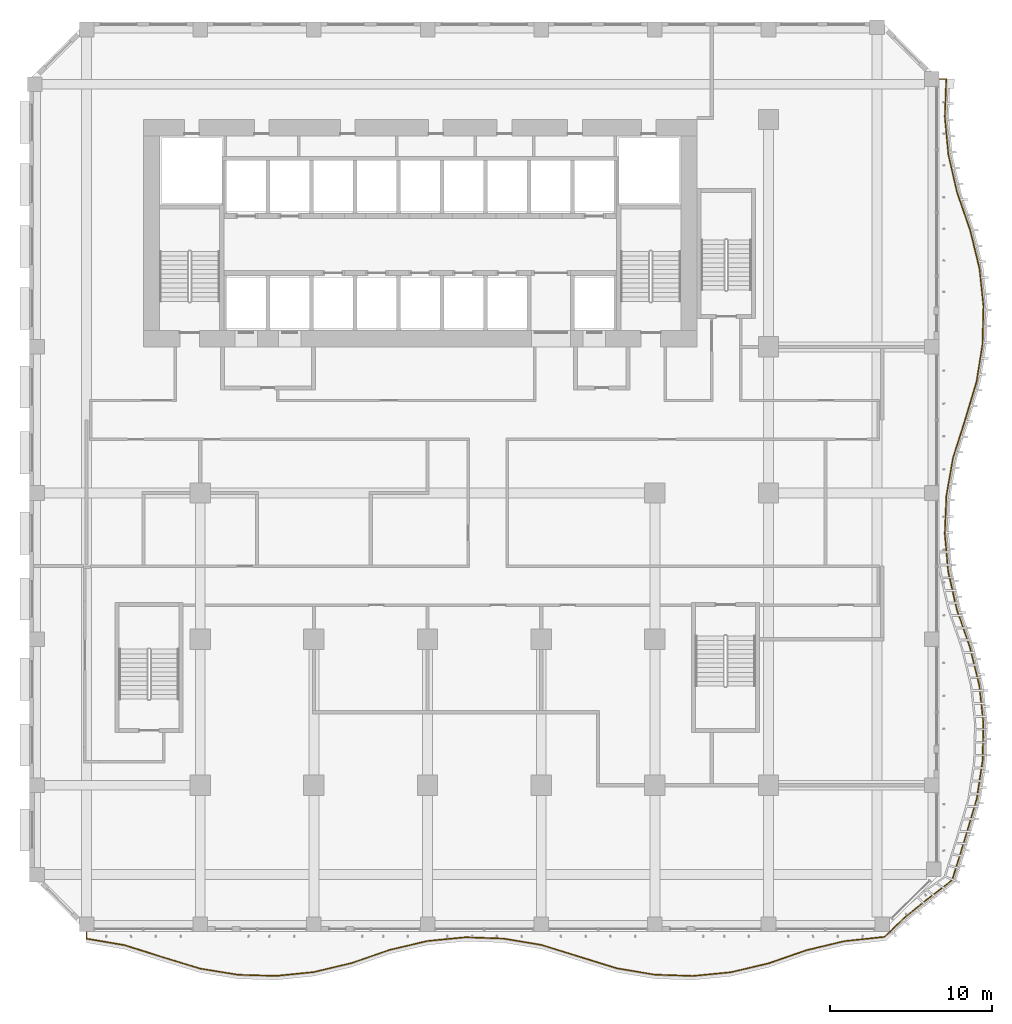
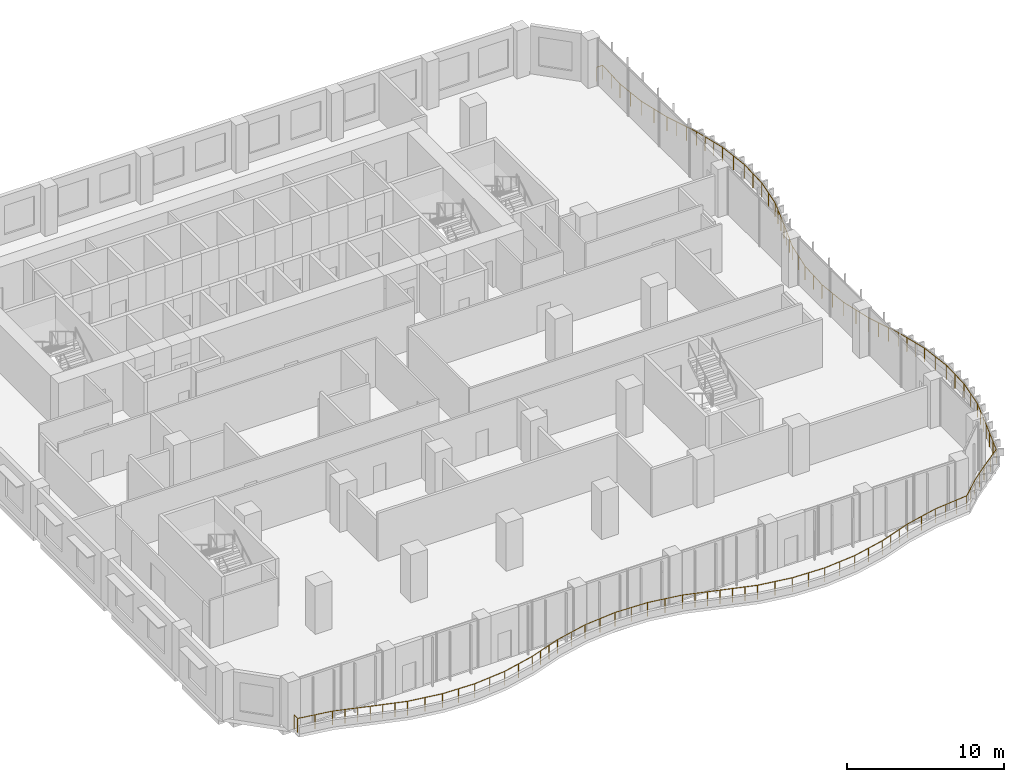
# One storey, part 21 of 27: 1 railing.
"""IFC4 building model written with IfcOpenShell, lengths in metres."""

import ifcopenshell
import ifcopenshell.guid

model = None  # the IFC model being written
_history = None  # IfcOwnerHistory: only IFC2X3 demands one
_inside = {}  # id of a spatial element -> (the spatial element, [elements in it])
_under = {}  # id of a project, library or spatial element -> (it, [spatial elements below it])
_declared = {}  # id of a project -> (the project, [libraries it declares])
_typed = {}  # id of a type object -> (the type object, [elements of that type])
_made_of = {}  # id of a material, layer set ... -> (it, [elements and type objects made of it])


def new_model(schema):
    """Start an empty IFC model of exactly this schema.

    Asked for "IFC4X3", IfcOpenShell would pick the latest addendum, in which some entities
    have other attributes; the version numbers below select the first issue.
    IFC2X3 requires an IfcOwnerHistory on every rooted entity: one is made here for all.
    """
    global model, _history
    if schema == "IFC4X3":
        model = ifcopenshell.file(schema_version=(4, 3, 0, 0))
    else:
        model = ifcopenshell.file(schema=schema)
    _inside.clear()
    _under.clear()
    _declared.clear()
    _typed.clear()
    _made_of.clear()
    _history = None
    if model.schema == "IFC2X3":
        org = make("IfcOrganization", Name="unknown")
        user = make(
            "IfcPersonAndOrganization",
            ThePerson=make("IfcPerson", FamilyName="unknown"),
            TheOrganization=org,
        )
        app = make(
            "IfcApplication",
            ApplicationDeveloper=org,
            Version="unknown",
            ApplicationFullName="unknown",
            ApplicationIdentifier="unknown",
        )
        _history = make(
            "IfcOwnerHistory",
            OwningUser=user,
            OwningApplication=app,
            ChangeAction="ADDED",
            CreationDate=0,
        )
    return model


def make(cls, **values):
    """One entity of the class cls with the attributes given. An attribute that is None is left unset."""
    return model.create_entity(
        cls, **{name: value for name, value in values.items() if value is not None}
    )


def rooted(cls, **values):
    """An entity with a GlobalId (a new one), such as an element, a storey or a relation."""
    return make(cls, GlobalId=ifcopenshell.guid.new(), OwnerHistory=_history, **values)


def si_unit(unit_type, name, prefix=None):
    """IfcSIUnit, for example si_unit("LENGTHUNIT", "METRE", prefix="MILLI")."""
    return make("IfcSIUnit", UnitType=unit_type, Prefix=prefix, Name=name)


def assignment(units):
    """IfcUnitAssignment: the units of a project."""
    return None if units is None else make("IfcUnitAssignment", Units=units)


def point(xyz):
    """IfcCartesianPoint."""
    return None if xyz is None else make("IfcCartesianPoint", Coordinates=xyz)


def direction(xyz):
    """IfcDirection."""
    return None if xyz is None else make("IfcDirection", DirectionRatios=xyz)


def frame(location, z_axis=None, x_axis=None):
    """IfcAxis2Placement3D, a coordinate frame: its origin and axes. An axis left out is left unset."""
    return make(
        "IfcAxis2Placement3D",
        Location=point(location),
        Axis=direction(z_axis),
        RefDirection=direction(x_axis),
    )


def frame_2d(location, x_axis=None):
    """IfcAxis2Placement2D, a coordinate frame in the plane: its origin and x axis."""
    return make(
        "IfcAxis2Placement2D", Location=point(location), RefDirection=direction(x_axis)
    )


def origin():
    """The frame at (0, 0, 0) with its axes left unset."""
    return frame((0.0, 0.0, 0.0))


def origin_2d():
    """The frame at (0, 0) in the plane with its x axis left unset."""
    return frame_2d((0.0, 0.0))


def place(relative_to, where):
    """IfcLocalPlacement: puts the frame where relative to a parent placement (None: the world)."""
    return make(
        "IfcLocalPlacement", PlacementRelTo=relative_to, RelativePlacement=where
    )


def context(
    kind, dimensions, precision=None, world=None, true_north=None, identifier=None
):
    """IfcGeometricRepresentationContext, for example the 3D "Model" context."""
    return make(
        "IfcGeometricRepresentationContext",
        ContextIdentifier=identifier,
        ContextType=kind,
        CoordinateSpaceDimension=dimensions,
        Precision=precision,
        WorldCoordinateSystem=world,
        TrueNorth=true_north,
    )


def subcontext(parent, identifier, kind, view, scale=None):
    """IfcGeometricRepresentationSubContext, for example "Body" below "Model"."""
    return make(
        "IfcGeometricRepresentationSubContext",
        ContextIdentifier=identifier,
        ContextType=kind,
        ParentContext=parent,
        TargetScale=scale,
        TargetView=view,
    )


def project(units=None, contexts=None):
    """IfcProject with its units and contexts."""
    return rooted(
        "IfcProject",
        Name="project",
        RepresentationContexts=contexts,
        UnitsInContext=assignment(units),
    )


def spatial(cls, under=None, at=None, **own):
    """A site, building, storey or space (cls), placed at a placement, below another one or the project."""
    s = rooted(cls, ObjectPlacement=at, **own)
    if under is not None:
        _under.setdefault(under.id(), (under, []))[1].append(s)
    return s


def profile(cls, at=None, kind="AREA", **sizes):
    """A parametric profile (cls). Its sizes go by their IFC names, for example OverallWidth=200.0."""
    return make(cls, ProfileType=kind, Position=at, **sizes)


def circle(**sizes):
    """IfcCircleProfileDef."""
    return profile("IfcCircleProfileDef", **sizes)


def extrude(swept, where, along, depth):
    """IfcExtrudedAreaSolid: the profile swept, set in the frame where, extruded along a direction by depth."""
    return make(
        "IfcExtrudedAreaSolid",
        SweptArea=swept,
        Position=where,
        ExtrudedDirection=direction(along),
        Depth=depth,
    )


def shape(context_of_items, identifier, shape_type, items):
    """IfcShapeRepresentation: the items that make up one representation, for example the "Body"."""
    return make(
        "IfcShapeRepresentation",
        ContextOfItems=context_of_items,
        RepresentationIdentifier=identifier,
        RepresentationType=shape_type,
        Items=items,
    )


def material(Name=None, Category=None):
    """IfcMaterial."""
    return make("IfcMaterial", Name=Name, Category=Category)


def made_of(thing, what):
    """Note that an element or type object is made of a material, layer set ...; save() writes the relation."""
    if what is not None:
        _made_of.setdefault(what.id(), (what, []))[1].append(thing)
    return thing


def type_object(cls, material=None, **own):
    """A type object (cls), such as IfcWallType, which elements share."""
    return made_of(rooted(cls, **own), material)


def element(
    cls,
    number,
    at=None,
    inside=None,
    cuts=None,
    type_object=None,
    material=None,
    context=None,
    identifier="Body",
    shape_type=None,
    held_by="IfcProductDefinitionShape",
    body=None,
    shapes=None,
    **own,
):
    """One element of the class cls, such as IfcWall. Its Tag is "e" and its number.

    at: its placement. inside: the storey or other place that contains it. cuts: it is an
    opening in that element (IfcRelVoidsElement). A single representation is given by context,
    identifier, shape_type and body (its items); several are given by shapes. held_by: the class
    of the entity that holds the representations. save() writes the other relations.
    """
    e = rooted(cls, Tag="e%d" % number, ObjectPlacement=at, **own)
    if body is not None:
        shapes = [shape(context, identifier, shape_type, body)]
    if shapes is not None:
        e.Representation = make(held_by, Representations=shapes)
    if inside is not None:
        _inside.setdefault(inside.id(), (inside, []))[1].append(e)
    if cuts is not None:
        rooted(
            "IfcRelVoidsElement", RelatingBuildingElement=cuts, RelatedOpeningElement=e
        )
    if type_object is not None:
        _typed.setdefault(type_object.id(), (type_object, []))[1].append(e)
    return made_of(e, material)


def aggregate(whole, parts):
    """IfcRelAggregates: a whole, such as a stair, and the parts it consists of."""
    return rooted("IfcRelAggregates", RelatingObject=whole, RelatedObjects=parts)


def save(model, path):
    """Write the relations noted so far, then the file.

    IfcRelAggregates (storeys below a building ...), IfcRelContainedInSpatialStructure (elements
    in a storey), IfcRelDefinesByType, IfcRelAssociatesMaterial and IfcRelDeclares: one each for
    every whole, place, type object, material and project.
    """
    for whole, parts in _under.values():
        aggregate(whole, parts)
    for where, things in _inside.values():
        rooted(
            "IfcRelContainedInSpatialStructure",
            RelatedElements=things,
            RelatingStructure=where,
        )
    for kind, things in _typed.values():
        rooted("IfcRelDefinesByType", RelatedObjects=things, RelatingType=kind)
    for what, things in _made_of.values():
        rooted("IfcRelAssociatesMaterial", RelatedObjects=things, RelatingMaterial=what)
    for by, libraries in _declared.values():
        rooted("IfcRelDeclares", RelatingContext=by, RelatedDefinitions=libraries)
    model.write(path)


model = new_model("IFC4")

# Units and contexts
model_context = context("Model", 3, precision=1e-05, world=origin(), true_north=direction((0.0, 1.0)))
body_context = subcontext(model_context, "Body", "Model", "MODEL_VIEW")
ifc_project = project(units=[si_unit("LENGTHUNIT", "METRE"), si_unit("AREAUNIT", "SQUARE_METRE"), si_unit("VOLUMEUNIT", "CUBIC_METRE"), si_unit("PLANEANGLEUNIT", "RADIAN"), si_unit("MASSUNIT", "GRAM", prefix="KILO")], contexts=[model_context])

# Site, building, storey
site_placement = place(None, origin())
site = spatial("IfcSite", under=ifc_project, at=site_placement, CompositionType="ELEMENT")
building_placement = place(site_placement, origin())
building = spatial("IfcBuilding", under=site, at=building_placement, Name="Kilnfold Tower and Market Hall", CompositionType="ELEMENT")
storey_placement = place(building_placement, frame((0.0, 0.0, 71.199951171875)))
storey = spatial("IfcBuildingStorey", under=building, at=storey_placement, Name="L16", CompositionType="ELEMENT", Elevation=71.199951171875)

# Railing
ifc_material = material(Name="Stainless steel and laminated glass", Category="steel")
railing_type = type_object("IfcRailingType", Name="GUARD 1100", PredefinedType="GUARDRAIL", material=ifc_material)
railing_placement = place(storey_placement, frame((-19.5, -28.0, 0.0)))
element("IfcRailing", 1, at=railing_placement, inside=storey, type_object=railing_type, Name="Guard balcony L16", PredefinedType="GUARDRAIL", context=body_context, shape_type="SweptSolid", body=[
    extrude(circle(Radius=0.02490234375, at=origin_2d()), frame((0.0, 0.0, 1.0751953125), z_axis=(0.0, -1.0, 0.0), x_axis=(1.0, 0.0, 0.0)), (0.0, 0.0, 1.0), 0.44482421875),
    extrude(circle(Radius=0.02490234375, at=origin_2d()), frame((0.0, -0.44482421875, 1.0751953125), z_axis=(0.985662466739, -0.168729077701, 0.0), x_axis=(0.168729077701, 0.985662466739, 0.0)), (0.0, 0.0, 1.0), 2.3671875),
    extrude(circle(Radius=0.02490234375, at=origin_2d()), frame((2.333251953125, -0.84423828125, 1.0751953125), z_axis=(0.954049170843, -0.299650095299, 0.0), x_axis=(0.299650095299, 0.954049170843, 0.0)), (0.0, 0.0, 1.0), 2.44580078125),
    extrude(circle(Radius=0.02490234375, at=origin_2d()), frame((4.666748046875, -1.5771484375, 1.0751953125), z_axis=(0.956468807758, -0.291834576062, 0.0), x_axis=(0.291834576062, 0.956468807758, 0.0)), (0.0, 0.0, 1.0), 2.439453125),
    extrude(circle(Radius=0.02490234375, at=origin_2d()), frame((7.0, -2.2890625, 1.0751953125), z_axis=(0.986987456503, -0.160797265855, 0.0), x_axis=(0.160797265855, 0.986987456503, 0.0)), (0.0, 0.0, 1.0), 2.364013671875),
    extrude(circle(Radius=0.02490234375, at=origin_2d()), frame((9.333251953125, -2.669189453125, 1.0751953125), z_axis=(0.999555741048, -0.029804706654, 0.0), x_axis=(0.029804706654, 0.999555741048, 0.0)), (0.0, 0.0, 1.0), 2.33447265625),
    extrude(circle(Radius=0.02490234375, at=origin_2d()), frame((11.666748046875, -2.73876953125, 1.0751953125), z_axis=(0.994857287477, 0.101286610936, 0.0), x_axis=(-0.101286610936, 0.994857287477, 0.0)), (0.0, 0.0, 1.0), 2.34521484375),
    extrude(circle(Radius=0.02490234375, at=origin_2d()), frame((14.0, -2.501220703125, 1.0751953125), z_axis=(0.972656408, 0.232248814801, 0.0), x_axis=(-0.232248814801, 0.972656408, 0.0)), (0.0, 0.0, 1.0), 2.39892578125),
    extrude(circle(Radius=0.02490234375, at=origin_2d()), frame((16.333251953125, -1.944091796875, 1.0751953125), z_axis=(0.944696631746, 0.327945535063, 0.0), x_axis=(-0.327945535063, 0.944696631746, 0.0)), (0.0, 0.0, 1.0), 2.47021484375),
    extrude(circle(Radius=0.02490234375, at=origin_2d()), frame((18.666748046875, -1.134033203125, 1.0751953125), z_axis=(0.973591903786, 0.228295433335, 0.0), x_axis=(-0.228295433335, 0.973591903786, 0.0)), (0.0, 0.0, 1.0), 2.396484375),
    extrude(circle(Radius=0.02490234375, at=origin_2d()), frame((21.0, -0.5869140625, 1.0751953125), z_axis=(0.995258419276, 0.097266021095, 0.0), x_axis=(-0.097266021095, 0.995258419276, 0.0)), (0.0, 0.0, 1.0), 2.344482421875),
    extrude(circle(Radius=0.02490234375, at=origin_2d()), frame((23.333251953125, -0.35888671875, 1.0751953125), z_axis=(0.99942948218, -0.033774400789, 0.0), x_axis=(0.033774400789, 0.99942948218, 0.0)), (0.0, 0.0, 1.0), 2.334716796875),
    extrude(circle(Radius=0.02490234375, at=origin_2d()), frame((25.666748046875, -0.437744140625, 1.0751953125), z_axis=(0.986340874841, -0.164716965182, 0.0), x_axis=(0.164716965182, 0.986340874841, 0.0)), (0.0, 0.0, 1.0), 2.365478515625),
    extrude(circle(Radius=0.02490234375, at=origin_2d()), frame((28.0, -0.827392578125, 1.0751953125), z_axis=(0.955232771409, -0.29585528967, 0.0), x_axis=(0.29585528967, 0.955232771409, 0.0)), (0.0, 0.0, 1.0), 2.442626953125),
    extrude(circle(Radius=0.02490234375, at=origin_2d()), frame((30.333251953125, -1.550048828125, 1.0751953125), z_axis=(0.95526975751, -0.295735845624, 0.0), x_axis=(0.295735845624, 0.95526975751, 0.0)), (0.0, 0.0, 1.0), 2.44287109375),
    extrude(circle(Radius=0.02490234375, at=origin_2d()), frame((32.666748046875, -2.2724609375, 1.0751953125), z_axis=(0.986324102419, -0.164817368585, 0.0), x_axis=(0.164817368585, 0.986324102419, 0.0)), (0.0, 0.0, 1.0), 2.36572265625),
    extrude(circle(Radius=0.02490234375, at=origin_2d()), frame((35.0, -2.662353515625, 1.0751953125), z_axis=(0.99943288777, -0.033673473879, 0.0), x_axis=(0.033673473879, 0.99943288777, 0.0)), (0.0, 0.0, 1.0), 2.33447265625),
    extrude(circle(Radius=0.02490234375, at=origin_2d()), frame((37.333251953125, -2.740966796875, 1.0751953125), z_axis=(0.995259404351, 0.097255940957, 0.0), x_axis=(-0.097255940957, 0.995259404351, 0.0)), (0.0, 0.0, 1.0), 2.3447265625),
    extrude(circle(Radius=0.02490234375, at=origin_2d()), frame((39.666748046875, -2.512939453125, 1.0751953125), z_axis=(0.973614542293, 0.228198867295, 0.0), x_axis=(-0.228198867295, 0.973614542293, 0.0)), (0.0, 0.0, 1.0), 2.396484375),
    extrude(circle(Radius=0.02490234375, at=origin_2d()), frame((42.0, -1.966064453125, 1.0751953125), z_axis=(0.944686000367, 0.327976158754, 0.0), x_axis=(-0.327976158754, 0.944686000367, 0.0)), (0.0, 0.0, 1.0), 2.469970703125),
    extrude(circle(Radius=0.02490234375, at=origin_2d()), frame((44.333251953125, -1.156005859375, 1.0751953125), z_axis=(0.972661896838, 0.232225826385, 0.0), x_axis=(-0.232225826385, 0.972661896838, 0.0)), (0.0, 0.0, 1.0), 2.399169921875),
    extrude(circle(Radius=0.02490234375, at=origin_2d()), frame((46.666748046875, -0.598876953125, 1.0751953125), z_axis=(0.994294653047, 0.106668378268, 0.0), x_axis=(-0.106668378268, 0.994294653047, 0.0)), (0.0, 0.0, 1.0), 2.485595703125),
    extrude(circle(Radius=0.02490234375, at=origin_2d()), frame((49.13818359375, -0.333740234375, 1.0751953125), z_axis=(0.724692692066, 0.689072203812, 0.0), x_axis=(-0.689072203812, 0.724692692066, 0.0)), (0.0, 0.0, 1.0), 1.788818359375),
    extrude(circle(Radius=0.02490234375, at=origin_2d()), frame((50.4345703125, 0.89892578125, 1.0751953125), z_axis=(0.776267052284, 0.630404206472, 0.0), x_axis=(-0.630404206472, 0.776267052284, 0.0)), (0.0, 0.0, 1.0), 1.65869140625),
    extrude(circle(Radius=0.02490234375, at=origin_2d()), frame((51.72216796875, 1.944580078125, 1.0751953125), z_axis=(0.793520057084, 0.608544097831, 0.0), x_axis=(-0.608544097831, 0.793520057084, 0.0)), (0.0, 0.0, 1.0), 2.00341796875),
    extrude(circle(Radius=0.02490234375, at=origin_2d()), frame((53.31201171875, 3.163818359375, 1.0751953125), z_axis=(0.29318249773, 0.956056495729, 0.0), x_axis=(-0.956056495729, 0.29318249773, 0.0)), (0.0, 0.0, 1.0), 2.792236328125),
    extrude(circle(Radius=0.02490234375, at=origin_2d()), frame((54.130615234375, 5.833251953125, 1.0751953125), z_axis=(0.283811640994, 0.95888005112, 0.0), x_axis=(-0.95888005112, 0.283811640994, 0.0)), (0.0, 0.0, 1.0), 2.43359375),
    extrude(circle(Radius=0.02490234375, at=origin_2d()), frame((54.8212890625, 8.166748046875, 1.0751953125), z_axis=(0.152834177123, 0.988251847609, 0.0), x_axis=(-0.988251847609, 0.152834177123, 0.0)), (0.0, 0.0, 1.0), 2.361083984375),
    extrude(circle(Radius=0.02490234375, at=origin_2d()), frame((55.18212890625, 10.5, 1.0751953125), z_axis=(0.021758999158, 0.999763244951, 0.0), x_axis=(-0.999763244951, 0.021758999158, 0.0)), (0.0, 0.0, 1.0), 2.333740234375),
    extrude(circle(Radius=0.02490234375, at=origin_2d()), frame((55.23291015625, 12.833251953125, 1.0751953125), z_axis=(-0.109095915219, 0.994031227519, 0.0), x_axis=(-0.994031227519, -0.109095915219, 0.0)), (0.0, 0.0, 1.0), 2.347412109375),
    extrude(circle(Radius=0.02490234375, at=origin_2d()), frame((54.976806640625, 15.166748046875, 1.0751953125), z_axis=(-0.240216711375, 0.970719285672, 0.0), x_axis=(-0.970719285672, -0.240216711375, 0.0)), (0.0, 0.0, 1.0), 2.403564453125),
    extrude(circle(Radius=0.02490234375, at=origin_2d()), frame((54.3994140625, 17.5, 1.0751953125), z_axis=(-0.327270166885, 0.944930811153, 0.0), x_axis=(-0.944930811153, -0.327270166885, 0.0)), (0.0, 0.0, 1.0), 2.46923828125),
    extrude(circle(Radius=0.02490234375, at=origin_2d()), frame((53.59130859375, 19.833251953125, 1.0751953125), z_axis=(-0.220332914349, 0.975424731517, 0.0), x_axis=(-0.975424731517, -0.220332914349, 0.0)), (0.0, 0.0, 1.0), 2.392333984375),
    extrude(circle(Radius=0.02490234375, at=origin_2d()), frame((53.064208984375, 22.166748046875, 1.0751953125), z_axis=(-0.089314116006, 0.996003508368, 0.0), x_axis=(-0.996003508368, -0.089314116006, 0.0)), (0.0, 0.0, 1.0), 2.342529296875),
    extrude(circle(Radius=0.02490234375, at=origin_2d()), frame((52.85498046875, 24.5, 1.0751953125), z_axis=(0.041713165348, 0.999129627144, 0.0), x_axis=(-0.999129627144, 0.041713165348, 0.0)), (0.0, 0.0, 1.0), 2.335205078125),
    extrude(circle(Radius=0.02490234375, at=origin_2d()), frame((52.952392578125, 26.833251953125, 1.0751953125), z_axis=(0.172715287919, 0.984971791129, 0.0), x_axis=(-0.984971791129, 0.172715287919, 0.0)), (0.0, 0.0, 1.0), 2.369140625),
    extrude(circle(Radius=0.02490234375, at=origin_2d()), frame((53.361572265625, 29.166748046875, 1.0751953125), z_axis=(0.303216003995, 0.952921851424, 0.0), x_axis=(-0.952921851424, 0.303216003995, 0.0)), (0.0, 0.0, 1.0), 2.448486328125),
    extrude(circle(Radius=0.02490234375, at=origin_2d()), frame((54.10400390625, 31.5, 1.0751953125), z_axis=(0.287890235925, 0.957663412718, 0.0), x_axis=(-0.957663412718, 0.287890235925, 0.0)), (0.0, 0.0, 1.0), 2.436279296875),
    extrude(circle(Radius=0.02490234375, at=origin_2d()), frame((54.805419921875, 33.833251953125, 1.0751953125), z_axis=(0.156753145392, 0.987637813882, 0.0), x_axis=(-0.987637813882, 0.156753145392, 0.0)), (0.0, 0.0, 1.0), 2.36279296875),
    extrude(circle(Radius=0.02490234375, at=origin_2d()), frame((55.17578125, 36.166748046875, 1.0751953125), z_axis=(0.025836303044, 0.999666187007, 0.0), x_axis=(-0.999666187007, 0.025836303044, 0.0)), (0.0, 0.0, 1.0), 2.333984375),
    extrude(circle(Radius=0.02490234375, at=origin_2d()), frame((55.236083984375, 38.5, 1.0751953125), z_axis=(-0.105199342578, 0.994451154316, 0.0), x_axis=(-0.994451154316, -0.105199342578, 0.0)), (0.0, 0.0, 1.0), 2.34619140625),
    extrude(circle(Radius=0.02490234375, at=origin_2d()), frame((54.9892578125, 40.833251953125, 1.0751953125), z_axis=(-0.236263377293, 0.971689053427, 0.0), x_axis=(-0.971689053427, -0.236263377293, 0.0)), (0.0, 0.0, 1.0), 2.4013671875),
    extrude(circle(Radius=0.02490234375, at=origin_2d()), frame((54.421875, 43.166748046875, 1.0751953125), z_axis=(-0.327711476118, 0.94477785136, 0.0), x_axis=(-0.94477785136, -0.327711476118, 0.0)), (0.0, 0.0, 1.0), 2.4697265625),
    extrude(circle(Radius=0.02490234375, at=origin_2d()), frame((53.612548828125, 45.5, 1.0751953125), z_axis=(-0.224330726757, 0.974513070735, 0.0), x_axis=(-0.974513070735, -0.224330726757, 0.0)), (0.0, 0.0, 1.0), 2.394287109375),
    extrude(circle(Radius=0.02490234375, at=origin_2d()), frame((53.075439453125, 47.833251953125, 1.0751953125), z_axis=(-0.093230993166, 0.995644505792, 0.0), x_axis=(-0.995644505792, -0.093230993166, 0.0)), (0.0, 0.0, 1.0), 2.34375),
    extrude(circle(Radius=0.02490234375, at=origin_2d()), frame((52.85693359375, 50.166748046875, 1.0751953125), z_axis=(0.037642028208, 0.99929128772, 0.0), x_axis=(-0.99929128772, 0.037642028208, 0.0)), (0.0, 0.0, 1.0), 2.3349609375),
    extrude(circle(Radius=0.02490234375, at=origin_2d()), frame((52.94482421875, 52.5, 1.0751953125), z_axis=(-1.0, 0.0, 0.0), x_axis=(0.0, -1.0, 0.0)), (0.0, 0.0, 1.0), 0.44482421875),
    extrude(circle(Radius=0.02490234375, at=origin_2d()), origin(), (0.0, 0.0, 1.0), 1.050048828125),
    extrude(circle(Radius=0.02490234375, at=origin_2d()), frame((0.0, -0.44482421875, 0.0)), (0.0, 0.0, 1.0), 1.050048828125),
    extrude(circle(Radius=0.02490234375, at=origin_2d()), frame((1.16650390625, -0.64453125, 0.0)), (0.0, 0.0, 1.0), 1.050048828125),
    extrude(circle(Radius=0.02490234375, at=origin_2d()), frame((2.333251953125, -0.84423828125, 0.0)), (0.0, 0.0, 1.0), 1.050048828125),
    extrude(circle(Radius=0.02490234375, at=origin_2d()), frame((3.111083984375, -1.088623046875, 0.0)), (0.0, 0.0, 1.0), 1.050048828125),
    extrude(circle(Radius=0.02490234375, at=origin_2d()), frame((3.888916015625, -1.332763671875, 0.0)), (0.0, 0.0, 1.0), 1.050048828125),
    extrude(circle(Radius=0.02490234375, at=origin_2d()), frame((4.666748046875, -1.5771484375, 0.0)), (0.0, 0.0, 1.0), 1.050048828125),
    extrude(circle(Radius=0.02490234375, at=origin_2d()), frame((5.444580078125, -1.814453125, 0.0)), (0.0, 0.0, 1.0), 1.050048828125),
    extrude(circle(Radius=0.02490234375, at=origin_2d()), frame((6.22216796875, -2.0517578125, 0.0)), (0.0, 0.0, 1.0), 1.050048828125),
    extrude(circle(Radius=0.02490234375, at=origin_2d()), frame((7.0, -2.2890625, 0.0)), (0.0, 0.0, 1.0), 1.050048828125),
    extrude(circle(Radius=0.02490234375, at=origin_2d()), frame((8.16650390625, -2.47900390625, 0.0)), (0.0, 0.0, 1.0), 1.050048828125),
    extrude(circle(Radius=0.02490234375, at=origin_2d()), frame((9.333251953125, -2.669189453125, 0.0)), (0.0, 0.0, 1.0), 1.050048828125),
    extrude(circle(Radius=0.02490234375, at=origin_2d()), frame((10.5, -2.7041015625, 0.0)), (0.0, 0.0, 1.0), 1.050048828125),
    extrude(circle(Radius=0.02490234375, at=origin_2d()), frame((11.666748046875, -2.73876953125, 0.0)), (0.0, 0.0, 1.0), 1.050048828125),
    extrude(circle(Radius=0.02490234375, at=origin_2d()), frame((12.83349609375, -2.6201171875, 0.0)), (0.0, 0.0, 1.0), 1.050048828125),
    extrude(circle(Radius=0.02490234375, at=origin_2d()), frame((14.0, -2.501220703125, 0.0)), (0.0, 0.0, 1.0), 1.050048828125),
    extrude(circle(Radius=0.02490234375, at=origin_2d()), frame((15.16650390625, -2.22265625, 0.0)), (0.0, 0.0, 1.0), 1.050048828125),
    extrude(circle(Radius=0.02490234375, at=origin_2d()), frame((16.333251953125, -1.944091796875, 0.0)), (0.0, 0.0, 1.0), 1.050048828125),
    extrude(circle(Radius=0.02490234375, at=origin_2d()), frame((17.111083984375, -1.674072265625, 0.0)), (0.0, 0.0, 1.0), 1.050048828125),
    extrude(circle(Radius=0.02490234375, at=origin_2d()), frame((17.888916015625, -1.404052734375, 0.0)), (0.0, 0.0, 1.0), 1.050048828125),
    extrude(circle(Radius=0.02490234375, at=origin_2d()), frame((18.666748046875, -1.134033203125, 0.0)), (0.0, 0.0, 1.0), 1.050048828125),
    extrude(circle(Radius=0.02490234375, at=origin_2d()), frame((19.83349609375, -0.8603515625, 0.0)), (0.0, 0.0, 1.0), 1.050048828125),
    extrude(circle(Radius=0.02490234375, at=origin_2d()), frame((21.0, -0.5869140625, 0.0)), (0.0, 0.0, 1.0), 1.050048828125),
    extrude(circle(Radius=0.02490234375, at=origin_2d()), frame((22.16650390625, -0.472900390625, 0.0)), (0.0, 0.0, 1.0), 1.050048828125),
    extrude(circle(Radius=0.02490234375, at=origin_2d()), frame((23.333251953125, -0.35888671875, 0.0)), (0.0, 0.0, 1.0), 1.050048828125),
    extrude(circle(Radius=0.02490234375, at=origin_2d()), frame((24.5, -0.3984375, 0.0)), (0.0, 0.0, 1.0), 1.050048828125),
    extrude(circle(Radius=0.02490234375, at=origin_2d()), frame((25.666748046875, -0.437744140625, 0.0)), (0.0, 0.0, 1.0), 1.050048828125),
    extrude(circle(Radius=0.02490234375, at=origin_2d()), frame((26.83349609375, -0.632568359375, 0.0)), (0.0, 0.0, 1.0), 1.050048828125),
    extrude(circle(Radius=0.02490234375, at=origin_2d()), frame((28.0, -0.827392578125, 0.0)), (0.0, 0.0, 1.0), 1.050048828125),
    extrude(circle(Radius=0.02490234375, at=origin_2d()), frame((28.77783203125, -1.068359375, 0.0)), (0.0, 0.0, 1.0), 1.050048828125),
    extrude(circle(Radius=0.02490234375, at=origin_2d()), frame((29.555419921875, -1.30908203125, 0.0)), (0.0, 0.0, 1.0), 1.050048828125),
    extrude(circle(Radius=0.02490234375, at=origin_2d()), frame((30.333251953125, -1.550048828125, 0.0)), (0.0, 0.0, 1.0), 1.050048828125),
    extrude(circle(Radius=0.02490234375, at=origin_2d()), frame((31.111083984375, -1.790771484375, 0.0)), (0.0, 0.0, 1.0), 1.050048828125),
    extrude(circle(Radius=0.02490234375, at=origin_2d()), frame((31.888916015625, -2.03173828125, 0.0)), (0.0, 0.0, 1.0), 1.050048828125),
    extrude(circle(Radius=0.02490234375, at=origin_2d()), frame((32.666748046875, -2.2724609375, 0.0)), (0.0, 0.0, 1.0), 1.050048828125),
    extrude(circle(Radius=0.02490234375, at=origin_2d()), frame((33.83349609375, -2.46728515625, 0.0)), (0.0, 0.0, 1.0), 1.050048828125),
    extrude(circle(Radius=0.02490234375, at=origin_2d()), frame((35.0, -2.662353515625, 0.0)), (0.0, 0.0, 1.0), 1.050048828125),
    extrude(circle(Radius=0.02490234375, at=origin_2d()), frame((36.16650390625, -2.70166015625, 0.0)), (0.0, 0.0, 1.0), 1.050048828125),
    extrude(circle(Radius=0.02490234375, at=origin_2d()), frame((37.333251953125, -2.740966796875, 0.0)), (0.0, 0.0, 1.0), 1.050048828125),
    extrude(circle(Radius=0.02490234375, at=origin_2d()), frame((38.5, -2.626953125, 0.0)), (0.0, 0.0, 1.0), 1.050048828125),
    extrude(circle(Radius=0.02490234375, at=origin_2d()), frame((39.666748046875, -2.512939453125, 0.0)), (0.0, 0.0, 1.0), 1.050048828125),
    extrude(circle(Radius=0.02490234375, at=origin_2d()), frame((40.83349609375, -2.239501953125, 0.0)), (0.0, 0.0, 1.0), 1.050048828125),
    extrude(circle(Radius=0.02490234375, at=origin_2d()), frame((42.0, -1.966064453125, 0.0)), (0.0, 0.0, 1.0), 1.050048828125),
    extrude(circle(Radius=0.02490234375, at=origin_2d()), frame((42.77783203125, -1.696044921875, 0.0)), (0.0, 0.0, 1.0), 1.050048828125),
    extrude(circle(Radius=0.02490234375, at=origin_2d()), frame((43.555419921875, -1.426025390625, 0.0)), (0.0, 0.0, 1.0), 1.050048828125),
    extrude(circle(Radius=0.02490234375, at=origin_2d()), frame((44.333251953125, -1.156005859375, 0.0)), (0.0, 0.0, 1.0), 1.050048828125),
    extrude(circle(Radius=0.02490234375, at=origin_2d()), frame((45.5, -0.87744140625, 0.0)), (0.0, 0.0, 1.0), 1.050048828125),
    extrude(circle(Radius=0.02490234375, at=origin_2d()), frame((46.666748046875, -0.598876953125, 0.0)), (0.0, 0.0, 1.0), 1.050048828125),
    extrude(circle(Radius=0.02490234375, at=origin_2d()), frame((47.490478515625, -0.510498046875, 0.0)), (0.0, 0.0, 1.0), 1.050048828125),
    extrude(circle(Radius=0.02490234375, at=origin_2d()), frame((48.314453125, -0.422119140625, 0.0)), (0.0, 0.0, 1.0), 1.050048828125),
    extrude(circle(Radius=0.02490234375, at=origin_2d()), frame((49.13818359375, -0.333740234375, 0.0)), (0.0, 0.0, 1.0), 1.050048828125),
    extrude(circle(Radius=0.02490234375, at=origin_2d()), frame((49.786376953125, 0.28271484375, 0.0)), (0.0, 0.0, 1.0), 1.050048828125),
    extrude(circle(Radius=0.02490234375, at=origin_2d()), frame((50.4345703125, 0.89892578125, 0.0)), (0.0, 0.0, 1.0), 1.050048828125),
    extrude(circle(Radius=0.02490234375, at=origin_2d()), frame((51.078369140625, 1.421875, 0.0)), (0.0, 0.0, 1.0), 1.050048828125),
    extrude(circle(Radius=0.02490234375, at=origin_2d()), frame((51.72216796875, 1.944580078125, 0.0)), (0.0, 0.0, 1.0), 1.050048828125),
    extrude(circle(Radius=0.02490234375, at=origin_2d()), frame((52.51708984375, 2.55419921875, 0.0)), (0.0, 0.0, 1.0), 1.050048828125),
    extrude(circle(Radius=0.02490234375, at=origin_2d()), frame((53.31201171875, 3.163818359375, 0.0)), (0.0, 0.0, 1.0), 1.050048828125),
    extrude(circle(Radius=0.02490234375, at=origin_2d()), frame((53.5849609375, 4.0537109375, 0.0)), (0.0, 0.0, 1.0), 1.050048828125),
    extrude(circle(Radius=0.02490234375, at=origin_2d()), frame((53.857666015625, 4.943359375, 0.0)), (0.0, 0.0, 1.0), 1.050048828125),
    extrude(circle(Radius=0.02490234375, at=origin_2d()), frame((54.130615234375, 5.833251953125, 0.0)), (0.0, 0.0, 1.0), 1.050048828125),
    extrude(circle(Radius=0.02490234375, at=origin_2d()), frame((54.36083984375, 6.611083984375, 0.0)), (0.0, 0.0, 1.0), 1.050048828125),
    extrude(circle(Radius=0.02490234375, at=origin_2d()), frame((54.591064453125, 7.388916015625, 0.0)), (0.0, 0.0, 1.0), 1.050048828125),
    extrude(circle(Radius=0.02490234375, at=origin_2d()), frame((54.8212890625, 8.166748046875, 0.0)), (0.0, 0.0, 1.0), 1.050048828125),
    extrude(circle(Radius=0.02490234375, at=origin_2d()), frame((55.001708984375, 9.33349609375, 0.0)), (0.0, 0.0, 1.0), 1.050048828125),
    extrude(circle(Radius=0.02490234375, at=origin_2d()), frame((55.18212890625, 10.5, 0.0)), (0.0, 0.0, 1.0), 1.050048828125),
    extrude(circle(Radius=0.02490234375, at=origin_2d()), frame((55.20751953125, 11.66650390625, 0.0)), (0.0, 0.0, 1.0), 1.050048828125),
    extrude(circle(Radius=0.02490234375, at=origin_2d()), frame((55.23291015625, 12.833251953125, 0.0)), (0.0, 0.0, 1.0), 1.050048828125),
    extrude(circle(Radius=0.02490234375, at=origin_2d()), frame((55.10498046875, 14.0, 0.0)), (0.0, 0.0, 1.0), 1.050048828125),
    extrude(circle(Radius=0.02490234375, at=origin_2d()), frame((54.976806640625, 15.166748046875, 0.0)), (0.0, 0.0, 1.0), 1.050048828125),
    extrude(circle(Radius=0.02490234375, at=origin_2d()), frame((54.784423828125, 15.944580078125, 0.0)), (0.0, 0.0, 1.0), 1.050048828125),
    extrude(circle(Radius=0.02490234375, at=origin_2d()), frame((54.591796875, 16.72216796875, 0.0)), (0.0, 0.0, 1.0), 1.050048828125),
    extrude(circle(Radius=0.02490234375, at=origin_2d()), frame((54.3994140625, 17.5, 0.0)), (0.0, 0.0, 1.0), 1.050048828125),
    extrude(circle(Radius=0.02490234375, at=origin_2d()), frame((54.130126953125, 18.27783203125, 0.0)), (0.0, 0.0, 1.0), 1.050048828125),
    extrude(circle(Radius=0.02490234375, at=origin_2d()), frame((53.860595703125, 19.055419921875, 0.0)), (0.0, 0.0, 1.0), 1.050048828125),
    extrude(circle(Radius=0.02490234375, at=origin_2d()), frame((53.59130859375, 19.833251953125, 0.0)), (0.0, 0.0, 1.0), 1.050048828125),
    extrude(circle(Radius=0.02490234375, at=origin_2d()), frame((53.32763671875, 21.0, 0.0)), (0.0, 0.0, 1.0), 1.050048828125),
    extrude(circle(Radius=0.02490234375, at=origin_2d()), frame((53.064208984375, 22.166748046875, 0.0)), (0.0, 0.0, 1.0), 1.050048828125),
    extrude(circle(Radius=0.02490234375, at=origin_2d()), frame((52.95947265625, 23.33349609375, 0.0)), (0.0, 0.0, 1.0), 1.050048828125),
    extrude(circle(Radius=0.02490234375, at=origin_2d()), frame((52.85498046875, 24.5, 0.0)), (0.0, 0.0, 1.0), 1.050048828125),
    extrude(circle(Radius=0.02490234375, at=origin_2d()), frame((52.90380859375, 25.66650390625, 0.0)), (0.0, 0.0, 1.0), 1.050048828125),
    extrude(circle(Radius=0.02490234375, at=origin_2d()), frame((52.952392578125, 26.833251953125, 0.0)), (0.0, 0.0, 1.0), 1.050048828125),
    extrude(circle(Radius=0.02490234375, at=origin_2d()), frame((53.156982421875, 28.0, 0.0)), (0.0, 0.0, 1.0), 1.050048828125),
    extrude(circle(Radius=0.02490234375, at=origin_2d()), frame((53.361572265625, 29.166748046875, 0.0)), (0.0, 0.0, 1.0), 1.050048828125),
    extrude(circle(Radius=0.02490234375, at=origin_2d()), frame((53.609130859375, 29.944580078125, 0.0)), (0.0, 0.0, 1.0), 1.050048828125),
    extrude(circle(Radius=0.02490234375, at=origin_2d()), frame((53.8564453125, 30.72216796875, 0.0)), (0.0, 0.0, 1.0), 1.050048828125),
    extrude(circle(Radius=0.02490234375, at=origin_2d()), frame((54.10400390625, 31.5, 0.0)), (0.0, 0.0, 1.0), 1.050048828125),
    extrude(circle(Radius=0.02490234375, at=origin_2d()), frame((54.337890625, 32.27783203125, 0.0)), (0.0, 0.0, 1.0), 1.050048828125),
    extrude(circle(Radius=0.02490234375, at=origin_2d()), frame((54.571533203125, 33.055419921875, 0.0)), (0.0, 0.0, 1.0), 1.050048828125),
    extrude(circle(Radius=0.02490234375, at=origin_2d()), frame((54.805419921875, 33.833251953125, 0.0)), (0.0, 0.0, 1.0), 1.050048828125),
    extrude(circle(Radius=0.02490234375, at=origin_2d()), frame((54.99072265625, 35.0, 0.0)), (0.0, 0.0, 1.0), 1.050048828125),
    extrude(circle(Radius=0.02490234375, at=origin_2d()), frame((55.17578125, 36.166748046875, 0.0)), (0.0, 0.0, 1.0), 1.050048828125),
    extrude(circle(Radius=0.02490234375, at=origin_2d()), frame((55.2060546875, 37.33349609375, 0.0)), (0.0, 0.0, 1.0), 1.050048828125),
    extrude(circle(Radius=0.02490234375, at=origin_2d()), frame((55.236083984375, 38.5, 0.0)), (0.0, 0.0, 1.0), 1.050048828125),
    extrude(circle(Radius=0.02490234375, at=origin_2d()), frame((55.11279296875, 39.66650390625, 0.0)), (0.0, 0.0, 1.0), 1.050048828125),
    extrude(circle(Radius=0.02490234375, at=origin_2d()), frame((54.9892578125, 40.833251953125, 0.0)), (0.0, 0.0, 1.0), 1.050048828125),
    extrude(circle(Radius=0.02490234375, at=origin_2d()), frame((54.800048828125, 41.611083984375, 0.0)), (0.0, 0.0, 1.0), 1.050048828125),
    extrude(circle(Radius=0.02490234375, at=origin_2d()), frame((54.611083984375, 42.388916015625, 0.0)), (0.0, 0.0, 1.0), 1.050048828125),
    extrude(circle(Radius=0.02490234375, at=origin_2d()), frame((54.421875, 43.166748046875, 0.0)), (0.0, 0.0, 1.0), 1.050048828125),
    extrude(circle(Radius=0.02490234375, at=origin_2d()), frame((54.152099609375, 43.944580078125, 0.0)), (0.0, 0.0, 1.0), 1.050048828125),
    extrude(circle(Radius=0.02490234375, at=origin_2d()), frame((53.88232421875, 44.72216796875, 0.0)), (0.0, 0.0, 1.0), 1.050048828125),
    extrude(circle(Radius=0.02490234375, at=origin_2d()), frame((53.612548828125, 45.5, 0.0)), (0.0, 0.0, 1.0), 1.050048828125),
    extrude(circle(Radius=0.02490234375, at=origin_2d()), frame((53.343994140625, 46.66650390625, 0.0)), (0.0, 0.0, 1.0), 1.050048828125),
    extrude(circle(Radius=0.02490234375, at=origin_2d()), frame((53.075439453125, 47.833251953125, 0.0)), (0.0, 0.0, 1.0), 1.050048828125),
    extrude(circle(Radius=0.02490234375, at=origin_2d()), frame((52.96630859375, 49.0, 0.0)), (0.0, 0.0, 1.0), 1.050048828125),
    extrude(circle(Radius=0.02490234375, at=origin_2d()), frame((52.85693359375, 50.166748046875, 0.0)), (0.0, 0.0, 1.0), 1.050048828125),
    extrude(circle(Radius=0.02490234375, at=origin_2d()), frame((52.90087890625, 51.33349609375, 0.0)), (0.0, 0.0, 1.0), 1.050048828125),
    extrude(circle(Radius=0.02490234375, at=origin_2d()), frame((52.94482421875, 52.5, 0.0)), (0.0, 0.0, 1.0), 1.050048828125),
    extrude(circle(Radius=0.02490234375, at=origin_2d()), frame((52.5, 52.5, 0.0)), (0.0, 0.0, 1.0), 1.050048828125),
])

save(model, "model.ifc")
